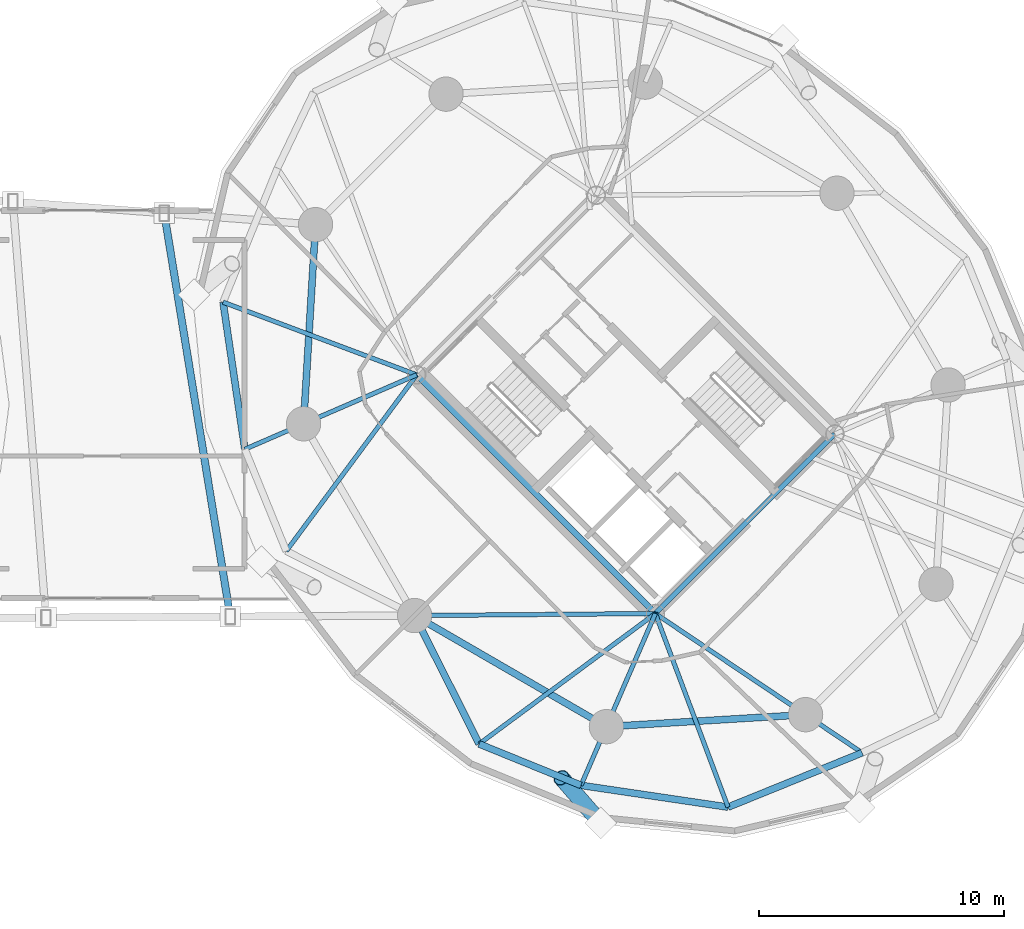
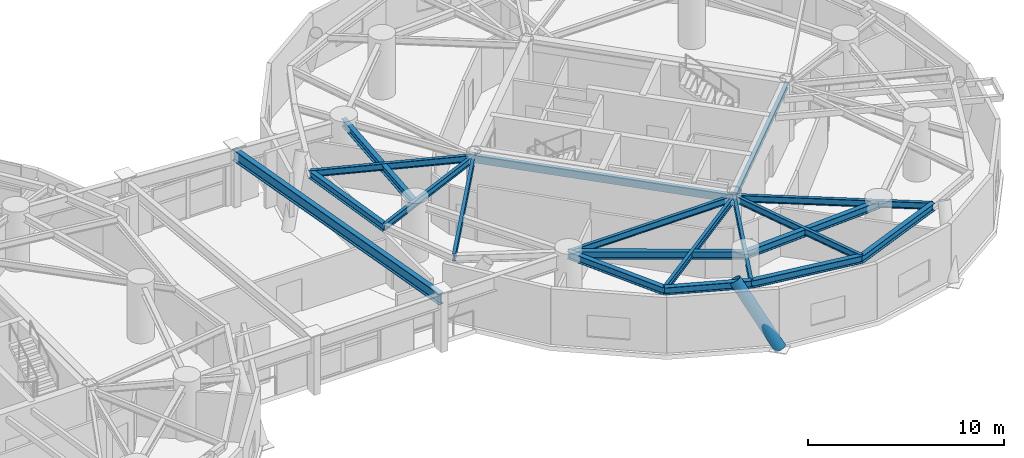
# One storey, part 5 of 20: 19 beams, 1 member.
"""IFC4 building model written with IfcOpenShell, lengths in metres."""

from ifc_helpers import new_model, si_unit, direction, frame, origin, origin_2d, place, context, subcontext, project, spatial, hollow_rectangle, hollow_circle, i_section, extrude, material, material_profile, profile_set, type_object, element, save


model = new_model("IFC4")

# Units and contexts
model_context = context("Model", 3, precision=1e-05, world=origin(), true_north=direction((0.0, 1.0)))
body_context = subcontext(model_context, "Body", "Model", "MODEL_VIEW")
ifc_project = project(units=[si_unit("LENGTHUNIT", "METRE"), si_unit("AREAUNIT", "SQUARE_METRE"), si_unit("VOLUMEUNIT", "CUBIC_METRE"), si_unit("PLANEANGLEUNIT", "RADIAN"), si_unit("MASSUNIT", "GRAM", prefix="KILO")], contexts=[model_context])

# Site, building, storey
site_placement = place(None, origin())
site = spatial("IfcSite", under=ifc_project, at=site_placement, CompositionType="ELEMENT")
building_placement = place(site_placement, origin())
building = spatial("IfcBuilding", under=site, at=building_placement, Name="Cununo Teusaquillo Station Towers", CompositionType="ELEMENT")
storey_placement = place(building_placement, frame((0.0, 0.0, 140.320068359375)))
storey = spatial("IfcBuildingStorey", under=building, at=storey_placement, Name="L44", CompositionType="ELEMENT", Elevation=140.320068359375)

# Beams
ifc_material_1 = material(Name="Steel EN 10025-2 S355J2", Category="steel")
ifc_material_profile_1 = material_profile(ifc_material_1, i_section(OverallWidth=0.300048828125, OverallDepth=0.699951171875, WebThickness=0.01708984375, FlangeThickness=0.031982421875, FilletRadius=0.027099609375, at=origin_2d()), Name="HEB 700")
ifc_profile_set_1 = profile_set([ifc_material_profile_1], Name="Steel EN 10025-2 S355J2")
beam_type_1 = type_object("IfcBeamType", Name="BM-BRG-FLR", PredefinedType="BEAM", material=ifc_profile_set_1)
beam_1_placement = place(storey_placement, frame((41.377685546875, 15.8525390625, 3.119873046875), z_axis=(-0.161629984279, 0.986851431666, 0.0), x_axis=(-0.986851431666, -0.161629984279, 0.0)))
element("IfcBeam", 1, at=beam_1_placement, inside=storey, type_object=beam_type_1, Name="L44 Mid-Bridge Transverse Floor Girder 2", PredefinedType="BEAM", context=body_context, shape_type="SweptSolid", body=[
    extrude(i_section(OverallWidth=0.300048828125, OverallDepth=0.699951171875, WebThickness=0.01708984375, FlangeThickness=0.031982421875, FilletRadius=0.027099609375, at=origin_2d()), origin(), (0.0, 0.0, 1.0), 16.66064453125),
])
ifc_material_2 = material(Name="Steel EN 10025-2 S355J2", Category="steel")
ifc_material_profile_2 = material_profile(ifc_material_2, hollow_rectangle(XDim=0.25, YDim=0.449951171875, WallThickness=0.01611328125, at=origin_2d()), Name="RHS 450x250x16")
ifc_profile_set_2 = profile_set([ifc_material_profile_2], Name="Steel EN 10025-2 S355J2")
beam_type_2 = type_object("IfcBeamType", Name="BM-COUP-1", PredefinedType="USERDEFINED", material=ifc_profile_set_2)
beam_2_placement = place(storey_placement, frame((58.70556640625, 15.975830078125, 3.2548828125), z_axis=(-0.707106781187, 0.707106781187, 0.0), x_axis=(-0.707106781187, -0.707106781187, 0.0)))
element("IfcBeam", 2, at=beam_2_placement, inside=storey, type_object=beam_type_2, Name="L44 Tower B Core Beam 1", ObjectType="COUPLING BEAM", PredefinedType="USERDEFINED", context=body_context, shape_type="SweptSolid", body=[
    extrude(hollow_rectangle(XDim=0.25, YDim=0.449951171875, WallThickness=0.01611328125, at=origin_2d()), origin(), (0.0, 0.0, 1.0), 13.760009765625),
])
ifc_material_3 = material(Name="Steel ASTM A572 Grade 50", Category="steel")
ifc_material_profile_3 = material_profile(ifc_material_3, i_section(OverallWidth=0.180908203125, OverallDepth=0.4169921875, WebThickness=0.010986328125, FlangeThickness=0.018310546875, FilletRadius=0.012939453125, at=origin_2d()), Name="W16X57")
ifc_profile_set_3 = profile_set([ifc_material_profile_3], Name="Steel ASTM A572 Grade 50")
beam_type_3 = type_object("IfcBeamType", Name="BM-JOIST-1", PredefinedType="JOIST", material=ifc_profile_set_3)
beam_3_placement = place(storey_placement, frame((48.975830078125, 25.70556640625, 3.271484375), z_axis=(-0.936244635323, 0.351348805076, 0.0), x_axis=(-0.351348805076, -0.936244635323, 0.0)))
element("IfcBeam", 3, at=beam_3_placement, inside=storey, type_object=beam_type_3, Name="L44 Tower B Radial Spandrel Joist V07", PredefinedType="JOIST", context=body_context, shape_type="SweptSolid", body=[
    extrude(i_section(OverallWidth=0.180908203125, OverallDepth=0.4169921875, WebThickness=0.010986328125, FlangeThickness=0.018310546875, FilletRadius=0.012939453125, at=origin_2d()), origin(), (0.0, 0.0, 1.0), 8.4287109375),
])
for number, where, z_axis, x_axis, name in (
    (4, (48.975830078125, 25.70556640625, 3.271484375), (-0.594834179272, -0.803848430471, 0.0), (0.803848430471, -0.594834179272, 0.0), "L44 Tower B Radial Spandrel Joist V09"),
    (5, (58.70556640625, 15.975830078125, 3.271484375), (-0.803848430471, -0.594834179272, 0.0), (0.594834179272, -0.803848430471, 0.0), "L44 Tower B Radial Spandrel Joist V11"),
):
    element("IfcBeam", number, at=place(storey_placement, frame(where, z_axis=z_axis, x_axis=x_axis)), inside=storey, type_object=beam_type_3, Name=name, PredefinedType="JOIST", context=body_context, shape_type="SweptSolid", body=[
        extrude(i_section(OverallWidth=0.180908203125, OverallDepth=0.4169921875, WebThickness=0.010986328125, FlangeThickness=0.018310546875, FilletRadius=0.012939453125, at=origin_2d()), origin(), (0.0, 0.0, 1.0), 8.936767578125),
    ])
beam_4_placement = place(storey_placement, frame((58.70556640625, 15.975830078125, 3.271484375), z_axis=(0.351348805076, -0.936244635323, 0.0), x_axis=(0.936244635323, 0.351348805076, 0.0)))
element("IfcBeam", 6, at=beam_4_placement, inside=storey, type_object=beam_type_3, Name="L44 Tower B Radial Spandrel Joist V13", PredefinedType="JOIST", context=body_context, shape_type="SweptSolid", body=[
    extrude(i_section(OverallWidth=0.180908203125, OverallDepth=0.4169921875, WebThickness=0.010986328125, FlangeThickness=0.018310546875, FilletRadius=0.012939453125, at=origin_2d()), origin(), (0.0, 0.0, 1.0), 8.4287109375),
])
ifc_material_4 = material(Name="Steel ASTM A572 Grade 50", Category="steel")
ifc_material_profile_4 = material_profile(ifc_material_4, i_section(OverallWidth=0.2041015625, OverallDepth=0.35009765625, WebThickness=0.008544921875, FlangeThickness=0.01513671875, FilletRadius=0.011962890625, at=origin_2d()), Name="W14X48")
ifc_profile_set_4 = profile_set([ifc_material_profile_4], Name="Steel ASTM A572 Grade 50")
beam_type_4 = type_object("IfcBeamType", Name="BM-LINTEL-1", PredefinedType="LINTEL", material=ifc_profile_set_4)
beam_5_placement = place(storey_placement, frame((58.70556640625, 15.975830078125, 3.304931640625), z_axis=(0.707106781187, 0.707106781187, 0.0), x_axis=(-0.707106781187, 0.707106781187, 0.0)))
element("IfcBeam", 7, at=beam_5_placement, inside=storey, type_object=beam_type_4, Name="L44 Tower B Core Beam 3", PredefinedType="LINTEL", context=body_context, shape_type="SweptSolid", body=[
    extrude(i_section(OverallWidth=0.2041015625, OverallDepth=0.35009765625, WebThickness=0.008544921875, FlangeThickness=0.01513671875, FilletRadius=0.011962890625, at=origin_2d()), origin(), (0.0, 0.0, 1.0), 10.35009765625),
])
ifc_material_5 = material(Name="Steel ASTM A572 Grade 50", Category="steel")
ifc_material_profile_5 = material_profile(ifc_material_5, i_section(OverallWidth=0.180908203125, OverallDepth=0.4169921875, WebThickness=0.010986328125, FlangeThickness=0.018310546875, FilletRadius=0.012939453125, at=origin_2d()), Name="W16X57")
ifc_profile_set_5 = profile_set([ifc_material_profile_5], Name="Steel ASTM A572 Grade 50")
beam_type_5 = type_object("IfcBeamType", Name="BM-RAD-G2", PredefinedType="BEAM", material=ifc_profile_set_5)
beam_6_placement = place(storey_placement, frame((48.975830078125, 25.70556640625, 3.271484375), z_axis=(-0.917655964072, -0.397375806515, 0.0), x_axis=(0.397375806515, -0.917655964072, 0.0)))
element("IfcBeam", 8, at=beam_6_placement, inside=storey, type_object=beam_type_5, Name="L44 Tower B Continuous Overhanging Radial Girder 05", PredefinedType="BEAM", context=body_context, shape_type="SweptSolid", body=[
    extrude(i_section(OverallWidth=0.180908203125, OverallDepth=0.4169921875, WebThickness=0.010986328125, FlangeThickness=0.018310546875, FilletRadius=0.012939453125, at=origin_2d()), origin(), (0.0, 0.0, 1.0), 7.6318359375),
])
beam_7_placement = place(storey_placement, frame((58.70556640625, 15.975830078125, 3.271484375), z_axis=(-0.999964431382, -0.008434214327, 0.0), x_axis=(0.008434214327, -0.999964431382, 0.0)))
element("IfcBeam", 9, at=beam_7_placement, inside=storey, type_object=beam_type_5, Name="L44 Tower B Radial Girder 06A", PredefinedType="BEAM", context=body_context, shape_type="SweptSolid", body=[
    extrude(i_section(OverallWidth=0.180908203125, OverallDepth=0.4169921875, WebThickness=0.010986328125, FlangeThickness=0.018310546875, FilletRadius=0.012939453125, at=origin_2d()), origin(), (0.0, 0.0, 1.0), 9.812744140625),
])
beam_8_placement = place(storey_placement, frame((58.70556640625, 15.975830078125, 3.271484375), z_axis=(-0.397375806515, -0.917655964072, 0.0), x_axis=(0.917655964072, -0.397375806515, 0.0)))
element("IfcBeam", 10, at=beam_8_placement, inside=storey, type_object=beam_type_5, Name="L44 Tower B Continuous Overhanging Radial Girder 07", PredefinedType="BEAM", context=body_context, shape_type="SweptSolid", body=[
    extrude(i_section(OverallWidth=0.180908203125, OverallDepth=0.4169921875, WebThickness=0.010986328125, FlangeThickness=0.018310546875, FilletRadius=0.012939453125, at=origin_2d()), origin(), (0.0, 0.0, 1.0), 7.6318359375),
])
beam_9_placement = place(storey_placement, frame((58.70556640625, 15.975830078125, 3.271484375), z_axis=(0.829456923219, -0.558570687133, 0.0), x_axis=(0.558570687133, 0.829456923219, 0.0)))
element("IfcBeam", 11, at=beam_9_placement, inside=storey, type_object=beam_type_5, Name="L44 Tower B Continuous Overhanging Radial Girder 08", PredefinedType="BEAM", context=body_context, shape_type="SweptSolid", body=[
    extrude(i_section(OverallWidth=0.180908203125, OverallDepth=0.4169921875, WebThickness=0.010986328125, FlangeThickness=0.018310546875, FilletRadius=0.012939453125, at=origin_2d()), origin(), (0.0, 0.0, 1.0), 10.1591796875),
])
ifc_material_6 = material(Name="Steel ASTM A572 Grade 50", Category="steel")
ifc_material_profile_6 = material_profile(ifc_material_6, i_section(OverallWidth=0.280029296875, OverallDepth=0.462890625, WebThickness=0.0107421875, FlangeThickness=0.017333984375, FilletRadius=0.013916015625, at=origin_2d()), Name="W18X76")
ifc_profile_set_6 = profile_set([ifc_material_profile_6], Name="Steel ASTM A572 Grade 50")
beam_type_6 = type_object("IfcBeamType", Name="BM-RING-Z2", PredefinedType="SPANDREL", material=ifc_profile_set_6)
beam_10_placement = place(storey_placement, frame((44.853759765625, 31.826904296875, 3.24853515625), z_axis=(-0.06012979176, -0.998190567048, 0.0), x_axis=(0.998190567048, -0.06012979176, 0.0)))
element("IfcBeam", 12, at=beam_10_placement, inside=storey, type_object=beam_type_6, Name="L44 Tower B Structural Column Ring Girder 04", PredefinedType="SPANDREL", context=body_context, shape_type="SweptSolid", body=[
    extrude(i_section(OverallWidth=0.280029296875, OverallDepth=0.462890625, WebThickness=0.0107421875, FlangeThickness=0.017333984375, FilletRadius=0.013916015625, at=origin_2d()), origin(), (0.0, 0.0, 1.0), 8.132568359375),
])
beam_11_placement = place(storey_placement, frame((48.89306640625, 15.89306640625, 3.24853515625), z_axis=(0.865267103202, -0.501311121078, 0.0), x_axis=(0.501311121078, 0.865267103202, 0.0)))
element("IfcBeam", 13, at=beam_11_placement, inside=storey, type_object=beam_type_6, Name="L44 Tower B Structural Column Ring Girder 06", PredefinedType="SPANDREL", context=body_context, shape_type="SweptSolid", body=[
    extrude(i_section(OverallWidth=0.280029296875, OverallDepth=0.462890625, WebThickness=0.0107421875, FlangeThickness=0.017333984375, FilletRadius=0.013916015625, at=origin_2d()), origin(), (0.0, 0.0, 1.0), 9.032958984375),
])
beam_12_placement = place(storey_placement, frame((56.708984375, 11.36474609375, 3.24853515625), z_axis=(0.998190567048, 0.06012979176, 0.0), x_axis=(-0.06012979176, 0.998190567048, 0.0)))
element("IfcBeam", 14, at=beam_12_placement, inside=storey, type_object=beam_type_6, Name="L44 Tower B Structural Column Ring Girder 07", PredefinedType="SPANDREL", context=body_context, shape_type="SweptSolid", body=[
    extrude(i_section(OverallWidth=0.280029296875, OverallDepth=0.462890625, WebThickness=0.0107421875, FlangeThickness=0.017333984375, FilletRadius=0.013916015625, at=origin_2d()), origin(), (0.0, 0.0, 1.0), 8.132568359375),
])
beam_13_placement = place(storey_placement, frame((41.08447265625, 28.6669921875, 3.24853515625), z_axis=(0.146535519435, -0.989205409176, 0.0), x_axis=(0.989205409176, 0.146535519435, 0.0)))
element("IfcBeam", 15, at=beam_13_placement, inside=storey, type_object=beam_type_6, Name="L44 Tower B Spandrel Ring Beam 08", PredefinedType="SPANDREL", context=body_context, shape_type="SweptSolid", body=[
    extrude(i_section(OverallWidth=0.280029296875, OverallDepth=0.462890625, WebThickness=0.0107421875, FlangeThickness=0.017333984375, FilletRadius=0.013916015625, at=origin_2d()), origin(), (0.0, 0.0, 1.0), 6.0595703125),
])
beam_14_placement = place(storey_placement, frame((48.89306640625, 15.89306640625, 3.24853515625), z_axis=(0.448863711686, -0.893600228475, 0.0), x_axis=(0.893600228475, 0.448863711686, 0.0)))
element("IfcBeam", 16, at=beam_14_placement, inside=storey, type_object=beam_type_6, Name="L44 Tower B Spandrel Ring Beam 11", PredefinedType="SPANDREL", context=body_context, shape_type="SweptSolid", body=[
    extrude(i_section(OverallWidth=0.280029296875, OverallDepth=0.462890625, WebThickness=0.0107421875, FlangeThickness=0.017333984375, FilletRadius=0.013916015625, at=origin_2d()), origin(), (0.0, 0.0, 1.0), 5.856201171875),
])
beam_15_placement = place(storey_placement, frame((51.521728515625, 10.659912109375, 3.24853515625), z_axis=(0.926380466449, -0.376588942192, 0.0), x_axis=(0.376588942192, 0.926380466449, 0.0)))
element("IfcBeam", 17, at=beam_15_placement, inside=storey, type_object=beam_type_6, Name="L44 Tower B Spandrel Ring Beam 12", PredefinedType="SPANDREL", context=body_context, shape_type="SweptSolid", body=[
    extrude(i_section(OverallWidth=0.280029296875, OverallDepth=0.462890625, WebThickness=0.0107421875, FlangeThickness=0.017333984375, FilletRadius=0.013916015625, at=origin_2d()), origin(), (0.0, 0.0, 1.0), 4.48095703125),
])
beam_16_placement = place(storey_placement, frame((55.6728515625, 8.972412109375, 3.24853515625), z_axis=(0.989205409176, -0.146535519435, 0.0), x_axis=(0.146535519435, 0.989205409176, 0.0)))
element("IfcBeam", 18, at=beam_16_placement, inside=storey, type_object=beam_type_6, Name="L44 Tower B Spandrel Ring Beam 13", PredefinedType="SPANDREL", context=body_context, shape_type="SweptSolid", body=[
    extrude(i_section(OverallWidth=0.280029296875, OverallDepth=0.462890625, WebThickness=0.0107421875, FlangeThickness=0.017333984375, FilletRadius=0.013916015625, at=origin_2d()), origin(), (0.0, 0.0, 1.0), 6.0595703125),
])
beam_17_placement = place(storey_placement, frame((61.6669921875, 8.08447265625, 3.24853515625), z_axis=(0.926667183359, 0.375882869104, 0.0), x_axis=(-0.375882869104, 0.926667183359, 0.0)))
element("IfcBeam", 19, at=beam_17_placement, inside=storey, type_object=beam_type_6, Name="L44 Tower B Spandrel Ring Beam 14", PredefinedType="SPANDREL", context=body_context, shape_type="SweptSolid", body=[
    extrude(i_section(OverallWidth=0.280029296875, OverallDepth=0.462890625, WebThickness=0.0107421875, FlangeThickness=0.017333984375, FilletRadius=0.013916015625, at=origin_2d()), origin(), (0.0, 0.0, 1.0), 5.8974609375),
])

# Member
ifc_material_7 = material(Name="Steel EN 10025-2 S355J2", Category="steel")
ifc_material_profile_7 = material_profile(ifc_material_7, hollow_circle(Radius=0.330078125, WallThickness=0.02490234375, at=origin_2d()), Name="CHS 660x25")
ifc_profile_set_7 = profile_set([ifc_material_profile_7], Name="Steel EN 10025-2 S355J2")
member_type = type_object("IfcMemberType", Name="MBR-DIAG-Z2", PredefinedType="BRACE", material=ifc_profile_set_7)
member_placement = place(storey_placement, frame((56.478271484375, 7.443359375, -0.14013671875), z_axis=(-0.360923737496, 0.413268104412, 0.836028426304), x_axis=(-0.753195827307, -0.657796355818, 0.0)))
element("IfcMember", 20, at=member_placement, inside=storey, type_object=member_type, Name="L44 Tower B Folded-Zigzag Diagrid Tube C11", PredefinedType="BRACE", context=body_context, shape_type="SweptSolid", body=[
    extrude(hollow_circle(Radius=0.330078125, WallThickness=0.02490234375, at=origin_2d()), origin(), (0.0, 0.0, 1.0), 4.449462890625),
])

save(model, "model.ifc")
